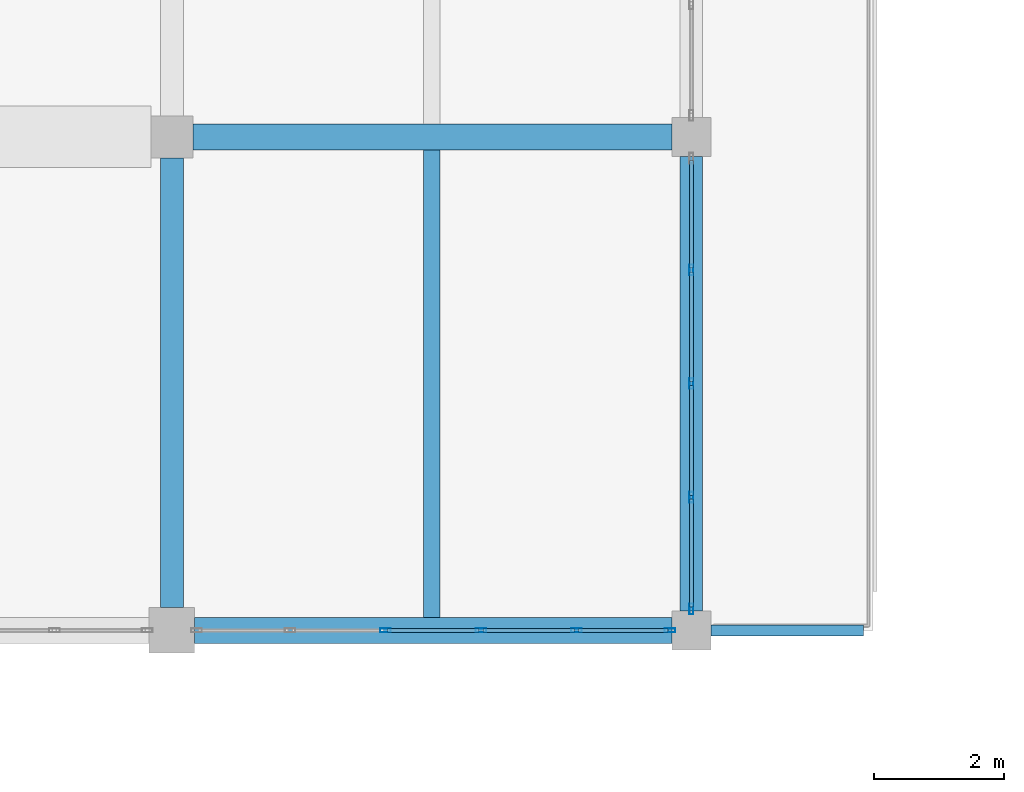
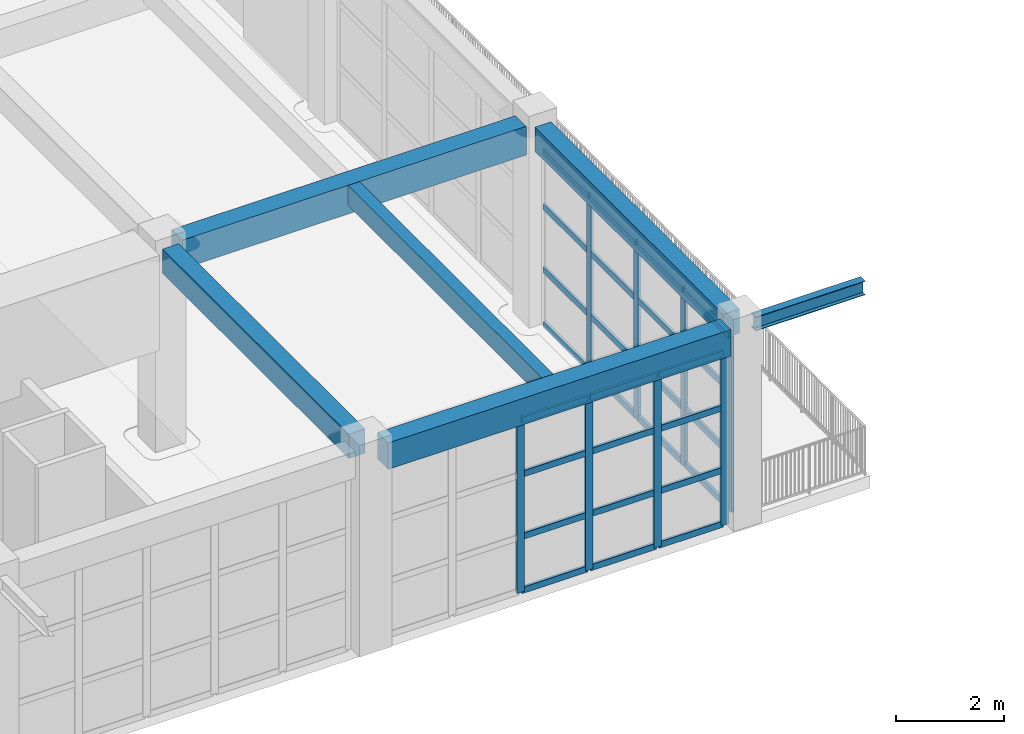
# One storey, part 21 of 50: 36 members, 6 beams, 2 elements without a shape of their own.
"""IFC4 building model written with IfcOpenShell, lengths in metres."""

from ifc_helpers import new_model, si_unit, direction, frame, origin, origin_2d, place, context, subcontext, project, spatial, rectangle, hollow_rectangle, i_section, extrude, material, material_profile, profile_set, type_object, element, aggregate, save


model = new_model("IFC4")

# Units and contexts
model_context = context("Model", 3, precision=1e-05, world=origin(), true_north=direction((0.0, 1.0)))
body_context = subcontext(model_context, "Body", "Model", "MODEL_VIEW")
ifc_project = project(units=[si_unit("LENGTHUNIT", "METRE"), si_unit("AREAUNIT", "SQUARE_METRE"), si_unit("VOLUMEUNIT", "CUBIC_METRE"), si_unit("PLANEANGLEUNIT", "RADIAN"), si_unit("MASSUNIT", "GRAM", prefix="KILO")], contexts=[model_context])

# Site, building, storey
site_placement = place(None, origin())
site = spatial("IfcSite", under=ifc_project, at=site_placement, CompositionType="ELEMENT")
building_placement = place(site_placement, origin())
building = spatial("IfcBuilding", under=site, at=building_placement, Name="Zantavel Square City Hall", CompositionType="ELEMENT")
storey_placement = place(building_placement, frame((0.0, 0.0, 18.89990234375)))
storey = spatial("IfcBuildingStorey", under=building, at=storey_placement, Name="L05", CompositionType="ELEMENT", Elevation=18.89990234375)

# Curtain wall, members
ifc_material_1 = material(Name="Anodised aluminium 6063-T6", Category="aluminium")
curtain_wall_type_1 = type_object("IfcCurtainWallType", Name="Curtain Wall TRV1 7000x3970", PredefinedType="USERDEFINED", material=ifc_material_1)
curtain_wall_1_placement = place(storey_placement, origin())
curtain_wall_1 = element("IfcCurtainWall", 1, at=curtain_wall_1_placement, inside=storey, type_object=curtain_wall_type_1, Name="L05 Glazed Curtain Wall CW-L05-132", ObjectType="GLAZED CURTAIN WALL", PredefinedType="USERDEFINED")
ifc_material_profile_1 = material_profile(ifc_material_1, hollow_rectangle(XDim=0.06005859375, YDim=0.1650390625, WallThickness=0.00390625, at=origin_2d()), Name="ALU 60x165x4")
ifc_profile_set_1 = profile_set([ifc_material_profile_1], Name="Anodised aluminium 6063-T6")
member_type_1 = type_object("IfcMemberType", Name="CW Council Gallery Mullion ALU 60x165x4", PredefinedType="MULLION", material=ifc_profile_set_1)
member_1_placement = place(storey_placement, frame((112.0, 35.949951171875, 0.0), z_axis=(0.0, 0.0, 1.0), x_axis=(1.0, 0.0, 0.0)))
member_1 = element("IfcMember", 2, at=member_1_placement, type_object=member_type_1, Name="CW-132 mullion 2", PredefinedType="MULLION", context=body_context, shape_type="SweptSolid", body=[
    extrude(hollow_rectangle(XDim=0.06005859375, YDim=0.1650390625, WallThickness=0.00390625, at=origin_2d()), origin(), (0.0, 0.0, 1.0), 3.97021484375),
])
member_2_placement = place(storey_placement, frame((112.0, 34.199951171875, 0.0), z_axis=(0.0, 0.0, 1.0), x_axis=(1.0, 0.0, 0.0)))
member_2 = element("IfcMember", 3, at=member_2_placement, type_object=member_type_1, Name="CW-132 mullion 3", PredefinedType="MULLION", context=body_context, shape_type="SweptSolid", body=[
    extrude(hollow_rectangle(XDim=0.06005859375, YDim=0.1650390625, WallThickness=0.00390625, at=origin_2d()), origin(), (0.0, 0.0, 1.0), 3.97021484375),
])
member_3_placement = place(storey_placement, frame((112.0, 32.449951171875, 0.0), z_axis=(0.0, 0.0, 1.0), x_axis=(1.0, 0.0, 0.0)))
member_3 = element("IfcMember", 4, at=member_3_placement, type_object=member_type_1, Name="CW-132 mullion 4", PredefinedType="MULLION", context=body_context, shape_type="SweptSolid", body=[
    extrude(hollow_rectangle(XDim=0.06005859375, YDim=0.1650390625, WallThickness=0.00390625, at=origin_2d()), origin(), (0.0, 0.0, 1.0), 3.97021484375),
])
member_4_placement = place(storey_placement, frame((112.0, 30.72998046875, 0.0), z_axis=(0.0, 0.0, 1.0), x_axis=(1.0, 0.0, 0.0)))
member_4 = element("IfcMember", 5, at=member_4_placement, type_object=member_type_1, Name="CW-132 mullion 5", PredefinedType="MULLION", context=body_context, shape_type="SweptSolid", body=[
    extrude(hollow_rectangle(XDim=0.06005859375, YDim=0.1650390625, WallThickness=0.00390625, at=origin_2d()), origin(), (0.0, 0.0, 1.0), 3.97021484375),
])

curtain_wall_type_2 = type_object("IfcCurtainWallType", Name="Curtain Wall TRV1 7350x3920", PredefinedType="USERDEFINED", material=ifc_material_1)
curtain_wall_2_placement = place(storey_placement, origin())
curtain_wall_2 = element("IfcCurtainWall", 6, at=curtain_wall_2_placement, inside=storey, type_object=curtain_wall_type_2, Name="L05 Glazed Curtain Wall CW-L05-133", ObjectType="GLAZED CURTAIN WALL", PredefinedType="USERDEFINED")
member_5_placement = place(storey_placement, frame((111.669921875, 30.39990234375, 0.0), z_axis=(0.0, 0.0, 1.0), x_axis=(0.0, -1.0, 0.0)))
member_5 = element("IfcMember", 7, at=member_5_placement, type_object=member_type_1, Name="CW-133 mullion 1", PredefinedType="MULLION", context=body_context, shape_type="SweptSolid", body=[
    extrude(hollow_rectangle(XDim=0.06005859375, YDim=0.1650390625, WallThickness=0.00390625, at=origin_2d()), origin(), (0.0, 0.0, 1.0), 3.920166015625),
])
member_6_placement = place(storey_placement, frame((110.22998046875, 30.39990234375, 0.0), z_axis=(0.0, 0.0, 1.0), x_axis=(0.0, -1.0, 0.0)))
member_6 = element("IfcMember", 8, at=member_6_placement, type_object=member_type_1, Name="CW-133 mullion 2", PredefinedType="MULLION", context=body_context, shape_type="SweptSolid", body=[
    extrude(hollow_rectangle(XDim=0.06005859375, YDim=0.1650390625, WallThickness=0.00390625, at=origin_2d()), origin(), (0.0, 0.0, 1.0), 3.920166015625),
])
member_7_placement = place(storey_placement, frame((108.760009765625, 30.39990234375, 0.0), z_axis=(0.0, 0.0, 1.0), x_axis=(0.0, -1.0, 0.0)))
member_7 = element("IfcMember", 9, at=member_7_placement, type_object=member_type_1, Name="CW-133 mullion 3", PredefinedType="MULLION", context=body_context, shape_type="SweptSolid", body=[
    extrude(hollow_rectangle(XDim=0.06005859375, YDim=0.1650390625, WallThickness=0.00390625, at=origin_2d()), origin(), (0.0, 0.0, 1.0), 3.920166015625),
])
member_8_placement = place(storey_placement, frame((107.2900390625, 30.39990234375, 0.0), z_axis=(0.0, 0.0, 1.0), x_axis=(0.0, -1.0, 0.0)))
member_8 = element("IfcMember", 10, at=member_8_placement, type_object=member_type_1, Name="CW-133 mullion 4", PredefinedType="MULLION", context=body_context, shape_type="SweptSolid", body=[
    extrude(hollow_rectangle(XDim=0.06005859375, YDim=0.1650390625, WallThickness=0.00390625, at=origin_2d()), origin(), (0.0, 0.0, 1.0), 3.920166015625),
])

# Member
ifc_material_profile_2 = material_profile(ifc_material_1, hollow_rectangle(XDim=0.06005859375, YDim=0.139892578125, WallThickness=0.00390625, at=origin_2d()), Name="ALU 60x140x4")
ifc_profile_set_2 = profile_set([ifc_material_profile_2], Name="Anodised aluminium 6063-T6")
member_type_2 = type_object("IfcMemberType", Name="CW Transom ALU 60x140x4", PredefinedType="USERDEFINED", material=ifc_profile_set_2)
member_9_placement = place(storey_placement, frame((112.0, 37.639892578125, 0.030029296875), z_axis=(0.0, -1.0, 0.0), x_axis=(1.0, 0.0, 0.0)))
member_9 = element("IfcMember", 11, at=member_9_placement, type_object=member_type_2, Name="CW-132 transom 1.1", ObjectType="TRANSOM", PredefinedType="USERDEFINED", context=body_context, shape_type="SweptSolid", body=[
    extrude(hollow_rectangle(XDim=0.06005859375, YDim=0.139892578125, WallThickness=0.00390625, at=origin_2d()), origin(), (0.0, 0.0, 1.0), 1.659912109375),
])

member_10_placement = place(storey_placement, frame((112.0, 37.639892578125, 1.27001953125), z_axis=(0.0, -1.0, 0.0), x_axis=(1.0, 0.0, 0.0)))
member_10 = element("IfcMember", 12, at=member_10_placement, type_object=member_type_2, Name="CW-132 transom 1.2", ObjectType="TRANSOM", PredefinedType="USERDEFINED", context=body_context, shape_type="SweptSolid", body=[
    extrude(hollow_rectangle(XDim=0.06005859375, YDim=0.139892578125, WallThickness=0.00390625, at=origin_2d()), origin(), (0.0, 0.0, 1.0), 1.659912109375),
])

member_11_placement = place(storey_placement, frame((112.0, 37.639892578125, 2.7001953125), z_axis=(0.0, -1.0, 0.0), x_axis=(1.0, 0.0, 0.0)))
member_11 = element("IfcMember", 13, at=member_11_placement, type_object=member_type_2, Name="CW-132 transom 1.3", ObjectType="TRANSOM", PredefinedType="USERDEFINED", context=body_context, shape_type="SweptSolid", body=[
    extrude(hollow_rectangle(XDim=0.06005859375, YDim=0.139892578125, WallThickness=0.00390625, at=origin_2d()), origin(), (0.0, 0.0, 1.0), 1.659912109375),
])

member_12_placement = place(storey_placement, frame((112.0, 37.639892578125, 3.940185546875), z_axis=(0.0, -1.0, 0.0), x_axis=(1.0, 0.0, 0.0)))
member_12 = element("IfcMember", 14, at=member_12_placement, type_object=member_type_2, Name="CW-132 transom 1.4", ObjectType="TRANSOM", PredefinedType="USERDEFINED", context=body_context, shape_type="SweptSolid", body=[
    extrude(hollow_rectangle(XDim=0.06005859375, YDim=0.139892578125, WallThickness=0.00390625, at=origin_2d()), origin(), (0.0, 0.0, 1.0), 1.659912109375),
])

member_13_placement = place(storey_placement, frame((112.0, 35.919921875, 0.030029296875), z_axis=(0.0, -1.0, 0.0), x_axis=(1.0, 0.0, 0.0)))
member_13 = element("IfcMember", 15, at=member_13_placement, type_object=member_type_2, Name="CW-132 transom 2.1", ObjectType="TRANSOM", PredefinedType="USERDEFINED", context=body_context, shape_type="SweptSolid", body=[
    extrude(hollow_rectangle(XDim=0.06005859375, YDim=0.139892578125, WallThickness=0.00390625, at=origin_2d()), origin(), (0.0, 0.0, 1.0), 1.68994140625),
])

member_14_placement = place(storey_placement, frame((112.0, 35.919921875, 1.27001953125), z_axis=(0.0, -1.0, 0.0), x_axis=(1.0, 0.0, 0.0)))
member_14 = element("IfcMember", 16, at=member_14_placement, type_object=member_type_2, Name="CW-132 transom 2.2", ObjectType="TRANSOM", PredefinedType="USERDEFINED", context=body_context, shape_type="SweptSolid", body=[
    extrude(hollow_rectangle(XDim=0.06005859375, YDim=0.139892578125, WallThickness=0.00390625, at=origin_2d()), origin(), (0.0, 0.0, 1.0), 1.68994140625),
])

member_15_placement = place(storey_placement, frame((112.0, 35.919921875, 2.7001953125), z_axis=(0.0, -1.0, 0.0), x_axis=(1.0, 0.0, 0.0)))
member_15 = element("IfcMember", 17, at=member_15_placement, type_object=member_type_2, Name="CW-132 transom 2.3", ObjectType="TRANSOM", PredefinedType="USERDEFINED", context=body_context, shape_type="SweptSolid", body=[
    extrude(hollow_rectangle(XDim=0.06005859375, YDim=0.139892578125, WallThickness=0.00390625, at=origin_2d()), origin(), (0.0, 0.0, 1.0), 1.68994140625),
])

member_16_placement = place(storey_placement, frame((112.0, 35.919921875, 3.940185546875), z_axis=(0.0, -1.0, 0.0), x_axis=(1.0, 0.0, 0.0)))
member_16 = element("IfcMember", 18, at=member_16_placement, type_object=member_type_2, Name="CW-132 transom 2.4", ObjectType="TRANSOM", PredefinedType="USERDEFINED", context=body_context, shape_type="SweptSolid", body=[
    extrude(hollow_rectangle(XDim=0.06005859375, YDim=0.139892578125, WallThickness=0.00390625, at=origin_2d()), origin(), (0.0, 0.0, 1.0), 1.68994140625),
])

member_17_placement = place(storey_placement, frame((112.0, 34.169921875, 0.030029296875), z_axis=(0.0, -1.0, 0.0), x_axis=(1.0, 0.0, 0.0)))
member_17 = element("IfcMember", 19, at=member_17_placement, type_object=member_type_2, Name="CW-132 transom 3.1", ObjectType="TRANSOM", PredefinedType="USERDEFINED", context=body_context, shape_type="SweptSolid", body=[
    extrude(hollow_rectangle(XDim=0.06005859375, YDim=0.139892578125, WallThickness=0.00390625, at=origin_2d()), origin(), (0.0, 0.0, 1.0), 1.68994140625),
])

member_18_placement = place(storey_placement, frame((112.0, 34.169921875, 1.27001953125), z_axis=(0.0, -1.0, 0.0), x_axis=(1.0, 0.0, 0.0)))
member_18 = element("IfcMember", 20, at=member_18_placement, type_object=member_type_2, Name="CW-132 transom 3.2", ObjectType="TRANSOM", PredefinedType="USERDEFINED", context=body_context, shape_type="SweptSolid", body=[
    extrude(hollow_rectangle(XDim=0.06005859375, YDim=0.139892578125, WallThickness=0.00390625, at=origin_2d()), origin(), (0.0, 0.0, 1.0), 1.68994140625),
])

member_19_placement = place(storey_placement, frame((112.0, 34.169921875, 2.7001953125), z_axis=(0.0, -1.0, 0.0), x_axis=(1.0, 0.0, 0.0)))
member_19 = element("IfcMember", 21, at=member_19_placement, type_object=member_type_2, Name="CW-132 transom 3.3", ObjectType="TRANSOM", PredefinedType="USERDEFINED", context=body_context, shape_type="SweptSolid", body=[
    extrude(hollow_rectangle(XDim=0.06005859375, YDim=0.139892578125, WallThickness=0.00390625, at=origin_2d()), origin(), (0.0, 0.0, 1.0), 1.68994140625),
])

member_20_placement = place(storey_placement, frame((112.0, 34.169921875, 3.940185546875), z_axis=(0.0, -1.0, 0.0), x_axis=(1.0, 0.0, 0.0)))
member_20 = element("IfcMember", 22, at=member_20_placement, type_object=member_type_2, Name="CW-132 transom 3.4", ObjectType="TRANSOM", PredefinedType="USERDEFINED", context=body_context, shape_type="SweptSolid", body=[
    extrude(hollow_rectangle(XDim=0.06005859375, YDim=0.139892578125, WallThickness=0.00390625, at=origin_2d()), origin(), (0.0, 0.0, 1.0), 1.68994140625),
])

member_21_placement = place(storey_placement, frame((112.0, 32.419921875, 0.030029296875), z_axis=(0.0, -1.0, 0.0), x_axis=(1.0, 0.0, 0.0)))
member_21 = element("IfcMember", 23, at=member_21_placement, type_object=member_type_2, Name="CW-132 transom 4.1", ObjectType="TRANSOM", PredefinedType="USERDEFINED", context=body_context, shape_type="SweptSolid", body=[
    extrude(hollow_rectangle(XDim=0.06005859375, YDim=0.139892578125, WallThickness=0.00390625, at=origin_2d()), origin(), (0.0, 0.0, 1.0), 1.659912109375),
])

member_22_placement = place(storey_placement, frame((112.0, 32.419921875, 1.27001953125), z_axis=(0.0, -1.0, 0.0), x_axis=(1.0, 0.0, 0.0)))
member_22 = element("IfcMember", 24, at=member_22_placement, type_object=member_type_2, Name="CW-132 transom 4.2", ObjectType="TRANSOM", PredefinedType="USERDEFINED", context=body_context, shape_type="SweptSolid", body=[
    extrude(hollow_rectangle(XDim=0.06005859375, YDim=0.139892578125, WallThickness=0.00390625, at=origin_2d()), origin(), (0.0, 0.0, 1.0), 1.659912109375),
])

member_23_placement = place(storey_placement, frame((112.0, 32.419921875, 2.7001953125), z_axis=(0.0, -1.0, 0.0), x_axis=(1.0, 0.0, 0.0)))
member_23 = element("IfcMember", 25, at=member_23_placement, type_object=member_type_2, Name="CW-132 transom 4.3", ObjectType="TRANSOM", PredefinedType="USERDEFINED", context=body_context, shape_type="SweptSolid", body=[
    extrude(hollow_rectangle(XDim=0.06005859375, YDim=0.139892578125, WallThickness=0.00390625, at=origin_2d()), origin(), (0.0, 0.0, 1.0), 1.659912109375),
])

member_24_placement = place(storey_placement, frame((112.0, 32.419921875, 3.940185546875), z_axis=(0.0, -1.0, 0.0), x_axis=(1.0, 0.0, 0.0)))
member_24 = element("IfcMember", 26, at=member_24_placement, type_object=member_type_2, Name="CW-132 transom 4.4", ObjectType="TRANSOM", PredefinedType="USERDEFINED", context=body_context, shape_type="SweptSolid", body=[
    extrude(hollow_rectangle(XDim=0.06005859375, YDim=0.139892578125, WallThickness=0.00390625, at=origin_2d()), origin(), (0.0, 0.0, 1.0), 1.659912109375),
])

aggregate(curtain_wall_1, [member_1, member_2, member_3, member_4, member_9, member_10, member_11, member_12, member_13, member_14, member_15, member_16, member_17, member_18, member_19, member_20, member_21, member_22, member_23, member_24])

member_25_placement = place(storey_placement, frame((111.639892578125, 30.39990234375, 0.030029296875), z_axis=(-1.0, 0.0, 0.0), x_axis=(0.0, -1.0, 0.0)))
member_25 = element("IfcMember", 27, at=member_25_placement, type_object=member_type_2, Name="CW-133 transom 1.1", ObjectType="TRANSOM", PredefinedType="USERDEFINED", context=body_context, shape_type="SweptSolid", body=[
    extrude(hollow_rectangle(XDim=0.06005859375, YDim=0.139892578125, WallThickness=0.00390625, at=origin_2d()), origin(), (0.0, 0.0, 1.0), 1.3798828125),
])

member_26_placement = place(storey_placement, frame((111.639892578125, 30.39990234375, 1.254150390625), z_axis=(-1.0, 0.0, 0.0), x_axis=(0.0, -1.0, 0.0)))
member_26 = element("IfcMember", 28, at=member_26_placement, type_object=member_type_2, Name="CW-133 transom 1.2", ObjectType="TRANSOM", PredefinedType="USERDEFINED", context=body_context, shape_type="SweptSolid", body=[
    extrude(hollow_rectangle(XDim=0.06005859375, YDim=0.139892578125, WallThickness=0.00390625, at=origin_2d()), origin(), (0.0, 0.0, 1.0), 1.3798828125),
])

member_27_placement = place(storey_placement, frame((111.639892578125, 30.39990234375, 2.666015625), z_axis=(-1.0, 0.0, 0.0), x_axis=(0.0, -1.0, 0.0)))
member_27 = element("IfcMember", 29, at=member_27_placement, type_object=member_type_2, Name="CW-133 transom 1.3", ObjectType="TRANSOM", PredefinedType="USERDEFINED", context=body_context, shape_type="SweptSolid", body=[
    extrude(hollow_rectangle(XDim=0.06005859375, YDim=0.139892578125, WallThickness=0.00390625, at=origin_2d()), origin(), (0.0, 0.0, 1.0), 1.3798828125),
])

member_28_placement = place(storey_placement, frame((111.639892578125, 30.39990234375, 3.89013671875), z_axis=(-1.0, 0.0, 0.0), x_axis=(0.0, -1.0, 0.0)))
member_28 = element("IfcMember", 30, at=member_28_placement, type_object=member_type_2, Name="CW-133 transom 1.4", ObjectType="TRANSOM", PredefinedType="USERDEFINED", context=body_context, shape_type="SweptSolid", body=[
    extrude(hollow_rectangle(XDim=0.06005859375, YDim=0.139892578125, WallThickness=0.00390625, at=origin_2d()), origin(), (0.0, 0.0, 1.0), 1.3798828125),
])

member_29_placement = place(storey_placement, frame((110.199951171875, 30.39990234375, 0.030029296875), z_axis=(-1.0, 0.0, 0.0), x_axis=(0.0, -1.0, 0.0)))
member_29 = element("IfcMember", 31, at=member_29_placement, type_object=member_type_2, Name="CW-133 transom 2.1", ObjectType="TRANSOM", PredefinedType="USERDEFINED", context=body_context, shape_type="SweptSolid", body=[
    extrude(hollow_rectangle(XDim=0.06005859375, YDim=0.139892578125, WallThickness=0.00390625, at=origin_2d()), origin(), (0.0, 0.0, 1.0), 1.409912109375),
])

member_30_placement = place(storey_placement, frame((110.199951171875, 30.39990234375, 1.254150390625), z_axis=(-1.0, 0.0, 0.0), x_axis=(0.0, -1.0, 0.0)))
member_30 = element("IfcMember", 32, at=member_30_placement, type_object=member_type_2, Name="CW-133 transom 2.2", ObjectType="TRANSOM", PredefinedType="USERDEFINED", context=body_context, shape_type="SweptSolid", body=[
    extrude(hollow_rectangle(XDim=0.06005859375, YDim=0.139892578125, WallThickness=0.00390625, at=origin_2d()), origin(), (0.0, 0.0, 1.0), 1.409912109375),
])

member_31_placement = place(storey_placement, frame((110.199951171875, 30.39990234375, 2.666015625), z_axis=(-1.0, 0.0, 0.0), x_axis=(0.0, -1.0, 0.0)))
member_31 = element("IfcMember", 33, at=member_31_placement, type_object=member_type_2, Name="CW-133 transom 2.3", ObjectType="TRANSOM", PredefinedType="USERDEFINED", context=body_context, shape_type="SweptSolid", body=[
    extrude(hollow_rectangle(XDim=0.06005859375, YDim=0.139892578125, WallThickness=0.00390625, at=origin_2d()), origin(), (0.0, 0.0, 1.0), 1.409912109375),
])

member_32_placement = place(storey_placement, frame((110.199951171875, 30.39990234375, 3.89013671875), z_axis=(-1.0, 0.0, 0.0), x_axis=(0.0, -1.0, 0.0)))
member_32 = element("IfcMember", 34, at=member_32_placement, type_object=member_type_2, Name="CW-133 transom 2.4", ObjectType="TRANSOM", PredefinedType="USERDEFINED", context=body_context, shape_type="SweptSolid", body=[
    extrude(hollow_rectangle(XDim=0.06005859375, YDim=0.139892578125, WallThickness=0.00390625, at=origin_2d()), origin(), (0.0, 0.0, 1.0), 1.409912109375),
])

member_33_placement = place(storey_placement, frame((108.72998046875, 30.39990234375, 0.030029296875), z_axis=(-1.0, 0.0, 0.0), x_axis=(0.0, -1.0, 0.0)))
member_33 = element("IfcMember", 35, at=member_33_placement, type_object=member_type_2, Name="CW-133 transom 3.1", ObjectType="TRANSOM", PredefinedType="USERDEFINED", context=body_context, shape_type="SweptSolid", body=[
    extrude(hollow_rectangle(XDim=0.06005859375, YDim=0.139892578125, WallThickness=0.00390625, at=origin_2d()), origin(), (0.0, 0.0, 1.0), 1.409912109375),
])

member_34_placement = place(storey_placement, frame((108.72998046875, 30.39990234375, 1.254150390625), z_axis=(-1.0, 0.0, 0.0), x_axis=(0.0, -1.0, 0.0)))
member_34 = element("IfcMember", 36, at=member_34_placement, type_object=member_type_2, Name="CW-133 transom 3.2", ObjectType="TRANSOM", PredefinedType="USERDEFINED", context=body_context, shape_type="SweptSolid", body=[
    extrude(hollow_rectangle(XDim=0.06005859375, YDim=0.139892578125, WallThickness=0.00390625, at=origin_2d()), origin(), (0.0, 0.0, 1.0), 1.409912109375),
])

member_35_placement = place(storey_placement, frame((108.72998046875, 30.39990234375, 2.666015625), z_axis=(-1.0, 0.0, 0.0), x_axis=(0.0, -1.0, 0.0)))
member_35 = element("IfcMember", 37, at=member_35_placement, type_object=member_type_2, Name="CW-133 transom 3.3", ObjectType="TRANSOM", PredefinedType="USERDEFINED", context=body_context, shape_type="SweptSolid", body=[
    extrude(hollow_rectangle(XDim=0.06005859375, YDim=0.139892578125, WallThickness=0.00390625, at=origin_2d()), origin(), (0.0, 0.0, 1.0), 1.409912109375),
])

member_36_placement = place(storey_placement, frame((108.72998046875, 30.39990234375, 3.89013671875), z_axis=(-1.0, 0.0, 0.0), x_axis=(0.0, -1.0, 0.0)))
member_36 = element("IfcMember", 38, at=member_36_placement, type_object=member_type_2, Name="CW-133 transom 3.4", ObjectType="TRANSOM", PredefinedType="USERDEFINED", context=body_context, shape_type="SweptSolid", body=[
    extrude(hollow_rectangle(XDim=0.06005859375, YDim=0.139892578125, WallThickness=0.00390625, at=origin_2d()), origin(), (0.0, 0.0, 1.0), 1.409912109375),
])

aggregate(curtain_wall_2, [member_5, member_6, member_7, member_8, member_25, member_26, member_27, member_28, member_29, member_30, member_31, member_32, member_33, member_34, member_35, member_36])

# Beams
ifc_material_2 = material(Name="Concrete C35/45", Category="concrete")
ifc_material_profile_3 = material_profile(ifc_material_2, rectangle(XDim=0.39990234375, YDim=0.64990234375, at=origin_2d()), Name="RC 400x650")
ifc_profile_set_3 = profile_set([ifc_material_profile_3], Name="Concrete C35/45")
beam_type_1 = type_object("IfcBeamType", Name="Frame Beam RC 400x650 C35/45", PredefinedType="BEAM", material=ifc_profile_set_3)
beam_1_placement = place(storey_placement, frame((104.324951171875, 38.0, 4.195068359375), z_axis=(1.0, 0.0, 0.0), x_axis=(0.0, 1.0, 0.0)))
element("IfcBeam", 39, at=beam_1_placement, inside=storey, type_object=beam_type_1, Name="L05 Girder BMX-L05-1040-0380", PredefinedType="BEAM", context=body_context, shape_type="SweptSolid", body=[
    extrude(rectangle(XDim=0.39990234375, YDim=0.64990234375, at=origin_2d()), origin(), (0.0, 0.0, 1.0), 7.375),
])
ifc_material_profile_4 = material_profile(ifc_material_2, rectangle(XDim=0.25, YDim=0.449951171875, at=origin_2d()), Name="RC 250x450")
ifc_profile_set_4 = profile_set([ifc_material_profile_4], Name="Concrete C35/45")
beam_type_2 = type_object("IfcBeamType", Name="Light Floor Joist RC 250x450 C35/45", PredefinedType="JOIST", material=ifc_profile_set_4)
beam_2_placement = place(storey_placement, frame((108.0, 30.60009765625, 4.295166015625), z_axis=(0.0, 1.0, 0.0), x_axis=(-1.0, 0.0, 0.0)))
element("IfcBeam", 40, at=beam_2_placement, inside=storey, type_object=beam_type_2, Name="L05 Floor Joist JST-L05-1080-0304", PredefinedType="JOIST", context=body_context, shape_type="SweptSolid", body=[
    extrude(rectangle(XDim=0.25, YDim=0.449951171875, at=origin_2d()), origin(), (0.0, 0.0, 1.0), 7.199951171875),
])
ifc_material_profile_5 = material_profile(ifc_material_2, rectangle(XDim=0.39990234375, YDim=0.60009765625, at=origin_2d()), Name="RC 400x600")
ifc_profile_set_5 = profile_set([ifc_material_profile_5], Name="Concrete C35/45")
beam_type_3 = type_object("IfcBeamType", Name="Perimeter Spandrel RC 400x600 C35/45", PredefinedType="SPANDREL", material=ifc_profile_set_5)
beam_3_placement = place(storey_placement, frame((104.35009765625, 30.39990234375, 4.22021484375), z_axis=(1.0, 0.0, 0.0), x_axis=(0.0, 1.0, 0.0)))
element("IfcBeam", 41, at=beam_3_placement, inside=storey, type_object=beam_type_3, Name="L05 Girder BMX-L05-1040-0304", PredefinedType="SPANDREL", context=body_context, shape_type="SweptSolid", body=[
    extrude(rectangle(XDim=0.39990234375, YDim=0.60009765625, at=origin_2d()), origin(), (0.0, 0.0, 1.0), 7.349853515625),
])
ifc_material_profile_6 = material_profile(ifc_material_2, rectangle(XDim=0.35009765625, YDim=0.550048828125, at=origin_2d()), Name="RC 350x550")
ifc_profile_set_6 = profile_set([ifc_material_profile_6], Name="Concrete C35/45")
beam_type_4 = type_object("IfcBeamType", Name="Secondary Beam RC 350x550 C35/45", PredefinedType="BEAM", material=ifc_profile_set_6)
beam_4_placement = place(storey_placement, frame((104.0, 30.75, 4.295166015625), z_axis=(0.0, 1.0, 0.0), x_axis=(-1.0, 0.0, 0.0)))
element("IfcBeam", 42, at=beam_4_placement, inside=storey, type_object=beam_type_4, Name="L05 Beam BMY-L05-1040-0304", PredefinedType="BEAM", context=body_context, shape_type="SweptSolid", body=[
    extrude(rectangle(XDim=0.35009765625, YDim=0.550048828125, at=origin_2d()), origin(), (0.0, 0.0, 1.0), 6.925048828125),
])
beam_5_placement = place(storey_placement, frame((112.0, 30.699951171875, 4.2451171875), z_axis=(0.0, 1.0, 0.0), x_axis=(-1.0, 0.0, 0.0)))
element("IfcBeam", 43, at=beam_5_placement, inside=storey, type_object=beam_type_4, Name="L05 Beam BMY-L05-1120-0304", PredefinedType="BEAM", context=body_context, shape_type="SweptSolid", body=[
    extrude(rectangle(XDim=0.35009765625, YDim=0.550048828125, at=origin_2d()), origin(), (0.0, 0.0, 1.0), 7.0),
])
ifc_material_3 = material(Name="Steel ASTM A992 Grade 50", Category="steel")
ifc_material_profile_7 = material_profile(ifc_material_3, i_section(OverallWidth=0.1669921875, OverallDepth=0.31689453125, WebThickness=0.007568359375, FlangeThickness=0.01318359375, at=origin_2d()), Name="W310x52")
ifc_profile_set_7 = profile_set([ifc_material_profile_7], Name="Steel ASTM A992 Grade 50")
beam_type_5 = type_object("IfcBeamType", Name="Tray Corner Cantilever Outrigger W310x52", PredefinedType="BEAM", material=ifc_profile_set_7)
beam_6_placement = place(storey_placement, frame((112.300048828125, 30.39990234375, 4.361572265625), z_axis=(1.0, 0.0, 0.0), x_axis=(0.0, 1.0, 0.0)))
element("IfcBeam", 44, at=beam_6_placement, inside=storey, type_object=beam_type_5, Name="L05 Cantera Tray Outrigger SE", PredefinedType="BEAM", context=body_context, shape_type="SweptSolid", body=[
    extrude(i_section(OverallWidth=0.1669921875, OverallDepth=0.31689453125, WebThickness=0.007568359375, FlangeThickness=0.01318359375, at=origin_2d()), origin(), (0.0, 0.0, 1.0), 2.349853515625),
])

save(model, "model.ifc")
